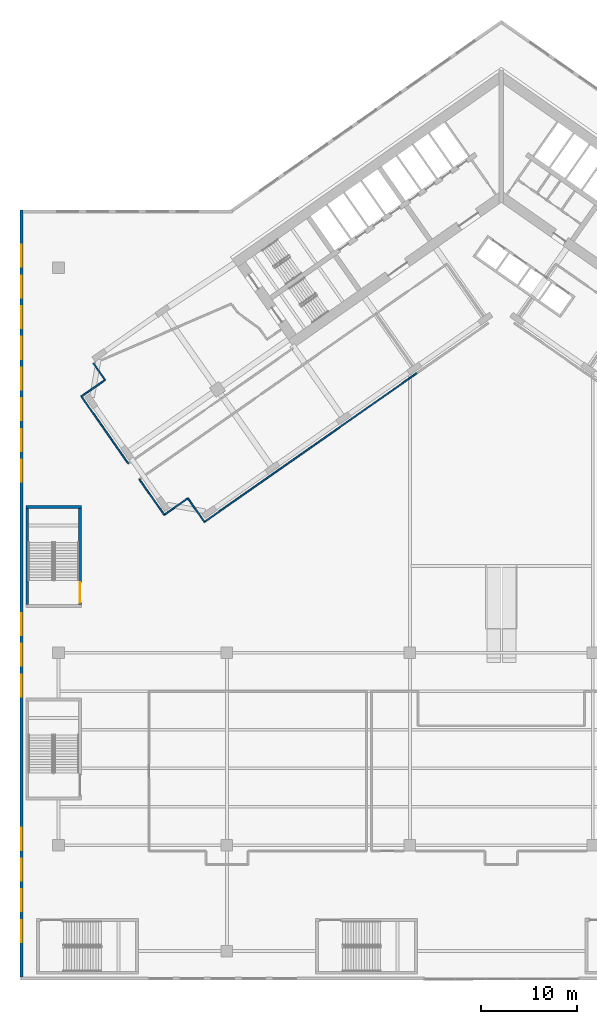
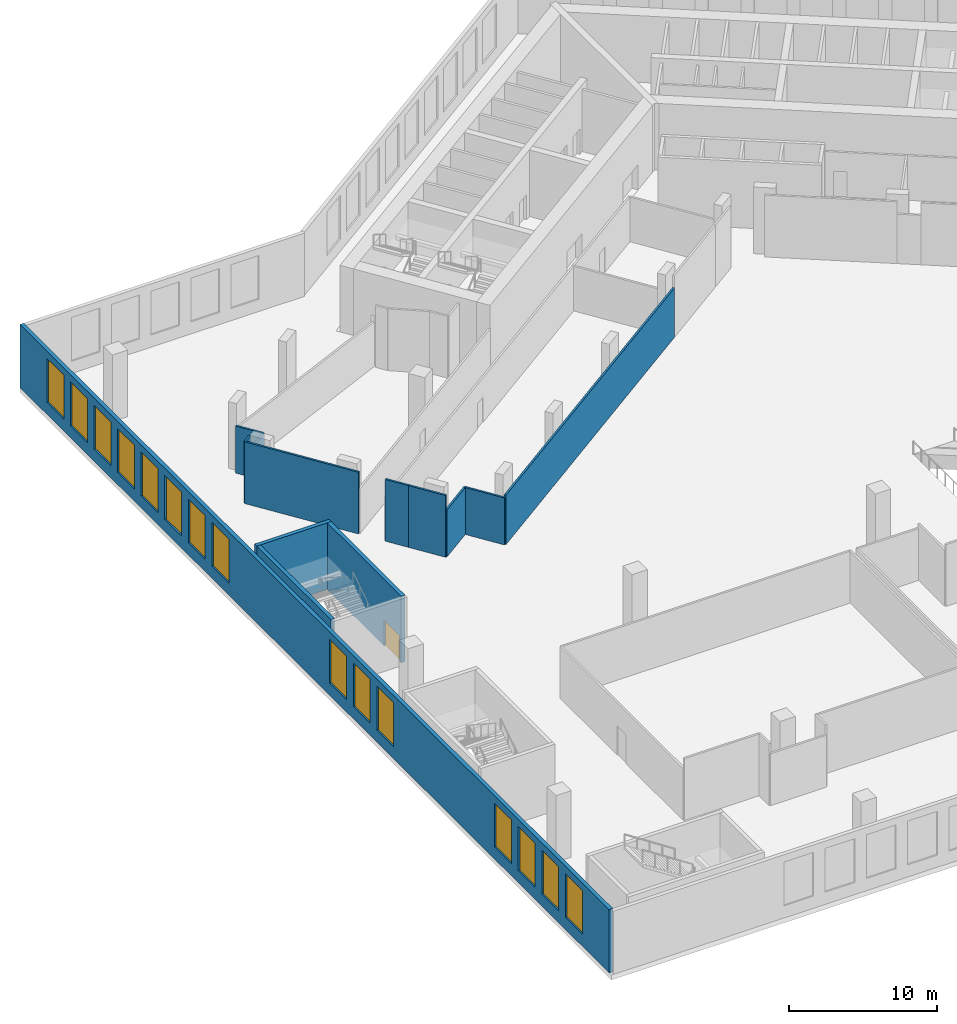
# One storey, part 6 of 26: 15 windows, 13 walls, 1 door, 16 openings.
"""IFC4 building model written with IfcOpenShell, lengths in metres."""

from ifc_helpers import new_model, si_unit, direction, frame, frame_2d, origin, place, context, subcontext, project, spatial, rectangle, extrude, material, layer, layer_set, type_object, element, fill, save


model = new_model("IFC4")

# Units and contexts
model_context = context("Model", 3, precision=1e-05, world=origin(), true_north=direction((0.0, 1.0)))
body_context = subcontext(model_context, "Body", "Model", "MODEL_VIEW")
ifc_project = project(units=[si_unit("LENGTHUNIT", "METRE"), si_unit("AREAUNIT", "SQUARE_METRE"), si_unit("VOLUMEUNIT", "CUBIC_METRE"), si_unit("PLANEANGLEUNIT", "RADIAN"), si_unit("MASSUNIT", "GRAM", prefix="KILO")], contexts=[model_context])

# Site, building, storey
site_placement = place(None, origin())
site = spatial("IfcSite", under=ifc_project, at=site_placement, CompositionType="ELEMENT")
building_placement = place(site_placement, origin())
building = spatial("IfcBuilding", under=site, at=building_placement, Name="Tel Ilan Convention Tower", CompositionType="ELEMENT")
storey_placement = place(building_placement, frame((0.0, 0.0, 37.5)))
storey = spatial("IfcBuildingStorey", under=building, at=storey_placement, Name="L05", CompositionType="ELEMENT", Elevation=37.5)

# Walls
ifc_material_1 = material(Name="Plasterboard on Steel Studs", Category="steel")
ifc_layer_1 = layer(ifc_material_1, 0.14990234375)
ifc_layer_set_1 = layer_set([ifc_layer_1], Name="Fire-rated Partition 150 EI 60")
wall_type_1 = type_object("IfcWallType", Name="Fire-rated Partition 150 EI 60", PredefinedType="PARTITIONING", material=ifc_layer_set_1)
wall_1_placement = place(storey_placement, frame((-35.016845703125, -33.676025390625, 0.0), z_axis=(0.0, 0.0, 1.0), x_axis=(0.81917072002, 0.573549763719, 0.0)))
element("IfcWall", 1, at=wall_1_placement, inside=storey, type_object=wall_type_1, Name="Partition 042", PredefinedType="PARTITIONING", context=body_context, shape_type="SweptSolid", body=[
    extrude(rectangle(XDim=2.998779296875, YDim=0.14990234375, at=frame_2d((1.49951171875, 0.0))), origin(), (0.0, 0.0, 1.0), 3.8798828125),
])
wall_2_placement = place(storey_placement, frame((-32.560302734375, -31.9560546875, 0.0), z_axis=(0.0, 0.0, 1.0), x_axis=(0.573604390867, -0.819132469615, 0.0)))
element("IfcWall", 2, at=wall_2_placement, inside=storey, type_object=wall_type_1, Name="Partition 043", PredefinedType="PARTITIONING", context=body_context, shape_type="SweptSolid", body=[
    extrude(rectangle(XDim=2.9990234375, YDim=0.14990234375, at=frame_2d((1.49951171875, 0.0))), origin(), (0.0, 0.0, 1.0), 3.8798828125),
])
wall_3_placement = place(storey_placement, frame((-30.838623046875, -34.412841796875, 0.0), z_axis=(0.0, 0.0, 1.0), x_axis=(0.819150779762, 0.573578242279, 0.0)))
element("IfcWall", 3, at=wall_3_placement, inside=storey, type_object=wall_type_1, Name="Partition 044", PredefinedType="PARTITIONING", context=body_context, shape_type="SweptSolid", body=[
    extrude(rectangle(XDim=27.001708984375, YDim=0.14990234375, at=frame_2d((13.5009765625, 0.0))), origin(), (0.0, 0.0, 1.0), 4.080078125),
])
wall_4_placement = place(storey_placement, frame((-36.59912109375, -31.41845703125, 0.0), z_axis=(0.0, 0.0, 1.0), x_axis=(0.57362881286, -0.819115367367, 0.0)))
element("IfcWall", 4, at=wall_4_placement, inside=storey, type_object=wall_type_1, Name="Partition 045", PredefinedType="PARTITIONING", context=body_context, shape_type="SweptSolid", body=[
    extrude(rectangle(XDim=2.755859375, YDim=0.14990234375, at=frame_2d((1.3779296875, 0.0))), origin(), (0.0, 0.0, 1.0), 5.10009765625),
])
wall_5_placement = place(storey_placement, frame((-42.359375, -17.96142578125, 0.0), z_axis=(0.0, 0.0, 1.0), x_axis=(0.573603984281, -0.819132754331, 0.0)))
element("IfcWall", 5, at=wall_5_placement, inside=storey, type_object=wall_type_1, Name="Partition 048", PredefinedType="PARTITIONING", context=body_context, shape_type="SweptSolid", body=[
    extrude(rectangle(XDim=2.082275390625, YDim=0.14990234375, at=frame_2d((1.041015625, 0.0))), origin(), (0.0, 0.0, 1.0), 3.8798828125),
])
wall_6_placement = place(storey_placement, frame((-41.1650390625, -19.6669921875, 0.0), z_axis=(0.0, 0.0, 1.0), x_axis=(-0.819149945048, -0.573579434366, 0.0)))
element("IfcWall", 6, at=wall_6_placement, inside=storey, type_object=wall_type_1, Name="Partition 049", PredefinedType="PARTITIONING", context=body_context, shape_type="SweptSolid", body=[
    extrude(rectangle(XDim=2.23876953125, YDim=0.14990234375, at=frame_2d((1.119384765625, 0.0))), origin(), (0.0, 0.0, 1.0), 3.8798828125),
])
wall_7_placement = place(storey_placement, frame((-43.621826171875, -21.38720703125, 0.0), z_axis=(0.0, 0.0, 1.0), x_axis=(0.573487395822, -0.819214383928, 0.0)))
element("IfcWall", 7, at=wall_7_placement, inside=storey, type_object=wall_type_1, Name="Partition 064", PredefinedType="PARTITIONING", context=body_context, shape_type="SweptSolid", body=[
    extrude(rectangle(XDim=8.502685546875, YDim=0.14990234375, at=frame_2d((4.25146484375, 0.0))), origin(), (0.0, 0.0, 1.0), 5.10009765625),
])
wall_8_placement = place(storey_placement, frame((-43.0, -20.951904296875, 0.0), z_axis=(0.0, 0.0, 1.0), x_axis=(-0.819216809636, -0.573483930734, 0.0)))
element("IfcWall", 8, at=wall_8_placement, inside=storey, type_object=wall_type_1, Name="Partition 065", PredefinedType="PARTITIONING", context=body_context, shape_type="SweptSolid", body=[
    extrude(rectangle(XDim=0.759033203125, YDim=0.14990234375, at=frame_2d((0.37939453125, 0.0))), origin(), (0.0, 0.0, 1.0), 5.10009765625),
])
wall_9_placement = place(storey_placement, frame((-37.600341796875, -29.98828125, 0.0), z_axis=(0.0, 0.0, 1.0), x_axis=(0.573518712821, -0.819192459709, 0.0)))
element("IfcWall", 9, at=wall_9_placement, inside=storey, type_object=wall_type_1, Name="Partition 066", PredefinedType="PARTITIONING", context=body_context, shape_type="SweptSolid", body=[
    extrude(rectangle(XDim=1.744140625, YDim=0.14990234375, at=frame_2d((0.8720703125, 0.0))), origin(), (0.0, 0.0, 1.0), 5.10009765625),
])

# Wall, openings, windows
ifc_material_2 = material(Name="Bronze aluminium cladding panel on insulated steel frame", Category="steel")
ifc_layer_2 = layer(ifc_material_2, 0.300048828125)
ifc_layer_set_2 = layer_set([ifc_layer_2], Name="PODIUM CLADDING WALL 300")
wall_type_2 = type_object("IfcWallType", Name="PODIUM CLADDING WALL 300", PredefinedType="SOLIDWALL", material=ifc_layer_set_2)
wall_10_placement = place(storey_placement, frame((-49.85009765625, -81.699951171875, 0.0), z_axis=(0.0, 0.0, 1.0), x_axis=(0.0, 1.0, 0.0)))
wall_10 = element("IfcWall", 10, at=wall_10_placement, inside=storey, type_object=wall_type_2, Name="Podium cladding wall", PredefinedType="SOLIDWALL", context=body_context, shape_type="SweptSolid", body=[
    extrude(rectangle(XDim=79.699951171875, YDim=0.300048828125, at=frame_2d((39.85009765625, 0.0))), origin(), (0.0, 0.0, 1.0), 5.219970703125),
])
opening_1_placement = place(wall_10_placement, frame((3.637939453125, 0.0, 1.0)))
opening_1 = element("IfcOpeningElement", 11, at=opening_1_placement, cuts=wall_10, Name="Opening W-08.011", PredefinedType="OPENING", context=body_context, shape_type="SweptSolid", body=[
    extrude(rectangle(XDim=2.2880859375, YDim=3.6201171875, at=frame_2d((1.14404296875, 1.81005859375))), frame((0.0, 0.159912109375, 0.0), z_axis=(0.0, -1.0, 0.0), x_axis=(1.0, 0.0, 0.0)), (0.0, 0.0, 1.0), 0.320068359375),
])
opening_2_placement = place(wall_10_placement, frame((6.825927734375, 0.0, 1.0)))
opening_2 = element("IfcOpeningElement", 12, at=opening_2_placement, cuts=wall_10, Name="Opening W-08.012", PredefinedType="OPENING", context=body_context, shape_type="SweptSolid", body=[
    extrude(rectangle(XDim=2.2880859375, YDim=3.6201171875, at=frame_2d((1.14404296875, 1.81005859375))), frame((0.0, 0.159912109375, 0.0), z_axis=(0.0, -1.0, 0.0), x_axis=(1.0, 0.0, 0.0)), (0.0, 0.0, 1.0), 0.320068359375),
])
opening_3_placement = place(wall_10_placement, frame((10.013916015625, 0.0, 1.0)))
opening_3 = element("IfcOpeningElement", 13, at=opening_3_placement, cuts=wall_10, Name="Opening W-08.013", PredefinedType="OPENING", context=body_context, shape_type="SweptSolid", body=[
    extrude(rectangle(XDim=2.2880859375, YDim=3.6201171875, at=frame_2d((1.14404296875, 1.81005859375))), frame((0.0, 0.159912109375, 0.0), z_axis=(0.0, -1.0, 0.0), x_axis=(1.0, 0.0, 0.0)), (0.0, 0.0, 1.0), 0.320068359375),
])
opening_4_placement = place(wall_10_placement, frame((13.201904296875, 0.0, 1.0)))
opening_4 = element("IfcOpeningElement", 14, at=opening_4_placement, cuts=wall_10, Name="Opening W-08.014", PredefinedType="OPENING", context=body_context, shape_type="SweptSolid", body=[
    extrude(rectangle(XDim=2.2880859375, YDim=3.6201171875, at=frame_2d((1.14404296875, 1.81005859375))), frame((0.0, 0.159912109375, 0.0), z_axis=(0.0, -1.0, 0.0), x_axis=(1.0, 0.0, 0.0)), (0.0, 0.0, 1.0), 0.320068359375),
])
opening_5_placement = place(wall_10_placement, frame((29.14208984375, 0.0, 1.0)))
opening_5 = element("IfcOpeningElement", 15, at=opening_5_placement, cuts=wall_10, Name="Opening W-08.015", PredefinedType="OPENING", context=body_context, shape_type="SweptSolid", body=[
    extrude(rectangle(XDim=2.2880859375, YDim=3.6201171875, at=frame_2d((1.14404296875, 1.81005859375))), frame((0.0, 0.159912109375, 0.0), z_axis=(0.0, -1.0, 0.0), x_axis=(1.0, 0.0, 0.0)), (0.0, 0.0, 1.0), 0.320068359375),
])
opening_6_placement = place(wall_10_placement, frame((32.330078125, 0.0, 1.0)))
opening_6 = element("IfcOpeningElement", 16, at=opening_6_placement, cuts=wall_10, Name="Opening W-08.016", PredefinedType="OPENING", context=body_context, shape_type="SweptSolid", body=[
    extrude(rectangle(XDim=2.2880859375, YDim=3.6201171875, at=frame_2d((1.14404296875, 1.81005859375))), frame((0.0, 0.159912109375, 0.0), z_axis=(0.0, -1.0, 0.0), x_axis=(1.0, 0.0, 0.0)), (0.0, 0.0, 1.0), 0.320068359375),
])
opening_7_placement = place(wall_10_placement, frame((35.51806640625, 0.0, 1.0)))
opening_7 = element("IfcOpeningElement", 17, at=opening_7_placement, cuts=wall_10, Name="Opening W-08.017", PredefinedType="OPENING", context=body_context, shape_type="SweptSolid", body=[
    extrude(rectangle(XDim=2.2880859375, YDim=3.6201171875, at=frame_2d((1.14404296875, 1.81005859375))), frame((0.0, 0.159912109375, 0.0), z_axis=(0.0, -1.0, 0.0), x_axis=(1.0, 0.0, 0.0)), (0.0, 0.0, 1.0), 0.320068359375),
])
opening_8_placement = place(wall_10_placement, frame((51.4580078125, 0.0, 1.0)))
opening_8 = element("IfcOpeningElement", 18, at=opening_8_placement, cuts=wall_10, Name="Opening W-08.018", PredefinedType="OPENING", context=body_context, shape_type="SweptSolid", body=[
    extrude(rectangle(XDim=2.2880859375, YDim=3.6201171875, at=frame_2d((1.14404296875, 1.81005859375))), frame((0.0, 0.159912109375, 0.0), z_axis=(0.0, -1.0, 0.0), x_axis=(1.0, 0.0, 0.0)), (0.0, 0.0, 1.0), 0.320068359375),
])
opening_9_placement = place(wall_10_placement, frame((54.64599609375, 0.0, 1.0)))
opening_9 = element("IfcOpeningElement", 19, at=opening_9_placement, cuts=wall_10, Name="Opening W-08.019", PredefinedType="OPENING", context=body_context, shape_type="SweptSolid", body=[
    extrude(rectangle(XDim=2.2880859375, YDim=3.6201171875, at=frame_2d((1.14404296875, 1.81005859375))), frame((0.0, 0.159912109375, 0.0), z_axis=(0.0, -1.0, 0.0), x_axis=(1.0, 0.0, 0.0)), (0.0, 0.0, 1.0), 0.320068359375),
])
opening_10_placement = place(wall_10_placement, frame((57.833984375, 0.0, 1.0)))
opening_10 = element("IfcOpeningElement", 20, at=opening_10_placement, cuts=wall_10, Name="Opening W-08.020", PredefinedType="OPENING", context=body_context, shape_type="SweptSolid", body=[
    extrude(rectangle(XDim=2.2880859375, YDim=3.6201171875, at=frame_2d((1.14404296875, 1.81005859375))), frame((0.0, 0.159912109375, 0.0), z_axis=(0.0, -1.0, 0.0), x_axis=(1.0, 0.0, 0.0)), (0.0, 0.0, 1.0), 0.320068359375),
])
opening_11_placement = place(wall_10_placement, frame((61.02197265625, 0.0, 1.0)))
opening_11 = element("IfcOpeningElement", 21, at=opening_11_placement, cuts=wall_10, Name="Opening W-08.021", PredefinedType="OPENING", context=body_context, shape_type="SweptSolid", body=[
    extrude(rectangle(XDim=2.2880859375, YDim=3.6201171875, at=frame_2d((1.14404296875, 1.81005859375))), frame((0.0, 0.159912109375, 0.0), z_axis=(0.0, -1.0, 0.0), x_axis=(1.0, 0.0, 0.0)), (0.0, 0.0, 1.0), 0.320068359375),
])
opening_12_placement = place(wall_10_placement, frame((64.2099609375, 0.0, 1.0)))
opening_12 = element("IfcOpeningElement", 22, at=opening_12_placement, cuts=wall_10, Name="Opening W-08.022", PredefinedType="OPENING", context=body_context, shape_type="SweptSolid", body=[
    extrude(rectangle(XDim=2.2880859375, YDim=3.6201171875, at=frame_2d((1.14404296875, 1.81005859375))), frame((0.0, 0.159912109375, 0.0), z_axis=(0.0, -1.0, 0.0), x_axis=(1.0, 0.0, 0.0)), (0.0, 0.0, 1.0), 0.320068359375),
])
opening_13_placement = place(wall_10_placement, frame((67.39794921875, 0.0, 1.0)))
opening_13 = element("IfcOpeningElement", 23, at=opening_13_placement, cuts=wall_10, Name="Opening W-08.023", PredefinedType="OPENING", context=body_context, shape_type="SweptSolid", body=[
    extrude(rectangle(XDim=2.2880859375, YDim=3.6201171875, at=frame_2d((1.14404296875, 1.81005859375))), frame((0.0, 0.159912109375, 0.0), z_axis=(0.0, -1.0, 0.0), x_axis=(1.0, 0.0, 0.0)), (0.0, 0.0, 1.0), 0.320068359375),
])
opening_14_placement = place(wall_10_placement, frame((70.5859375, 0.0, 1.0)))
opening_14 = element("IfcOpeningElement", 24, at=opening_14_placement, cuts=wall_10, Name="Opening W-08.024", PredefinedType="OPENING", context=body_context, shape_type="SweptSolid", body=[
    extrude(rectangle(XDim=2.2880859375, YDim=3.6201171875, at=frame_2d((1.14404296875, 1.81005859375))), frame((0.0, 0.159912109375, 0.0), z_axis=(0.0, -1.0, 0.0), x_axis=(1.0, 0.0, 0.0)), (0.0, 0.0, 1.0), 0.320068359375),
])
opening_15_placement = place(wall_10_placement, frame((73.77392578125, 0.0, 1.0)))
opening_15 = element("IfcOpeningElement", 25, at=opening_15_placement, cuts=wall_10, Name="Opening W-08.025", PredefinedType="OPENING", context=body_context, shape_type="SweptSolid", body=[
    extrude(rectangle(XDim=2.2880859375, YDim=3.6201171875, at=frame_2d((1.14404296875, 1.81005859375))), frame((0.0, 0.159912109375, 0.0), z_axis=(0.0, -1.0, 0.0), x_axis=(1.0, 0.0, 0.0)), (0.0, 0.0, 1.0), 0.320068359375),
])
ifc_material_3 = material(Name="Aluminium framed glazing, bronze anodised, tinted glass", Category="aluminium")
window_type = type_object("IfcWindowType", Name="PODIUM WINDOW 2288x3620", PartitioningType="SINGLE_PANEL", PredefinedType="WINDOW", material=ifc_material_3)
window_1_placement = place(opening_1_placement, origin())
window_1 = element("IfcWindow", 26, at=window_1_placement, inside=storey, type_object=window_type, Name="Podium window", OverallHeight=3.6201171875, OverallWidth=2.2880859375, PartitioningType="SINGLE_PANEL", PredefinedType="WINDOW", context=body_context, shape_type="SweptSolid", body=[
    extrude(rectangle(XDim=2.2880859375, YDim=3.6201171875, at=frame_2d((1.14404296875, 1.81005859375))), frame((0.0, 0.030029296875, 0.0), z_axis=(0.0, -1.0, 0.0), x_axis=(1.0, 0.0, 0.0)), (0.0, 0.0, 1.0), 0.06005859375),
])
fill(opening_1, window_1)
window_2_placement = place(opening_2_placement, origin())
window_2 = element("IfcWindow", 27, at=window_2_placement, inside=storey, type_object=window_type, Name="Podium window", OverallHeight=3.6201171875, OverallWidth=2.2880859375, PartitioningType="SINGLE_PANEL", PredefinedType="WINDOW", context=body_context, shape_type="SweptSolid", body=[
    extrude(rectangle(XDim=2.2880859375, YDim=3.6201171875, at=frame_2d((1.14404296875, 1.81005859375))), frame((0.0, 0.030029296875, 0.0), z_axis=(0.0, -1.0, 0.0), x_axis=(1.0, 0.0, 0.0)), (0.0, 0.0, 1.0), 0.06005859375),
])
fill(opening_2, window_2)
window_3_placement = place(opening_3_placement, origin())
window_3 = element("IfcWindow", 28, at=window_3_placement, inside=storey, type_object=window_type, Name="Podium window", OverallHeight=3.6201171875, OverallWidth=2.2880859375, PartitioningType="SINGLE_PANEL", PredefinedType="WINDOW", context=body_context, shape_type="SweptSolid", body=[
    extrude(rectangle(XDim=2.2880859375, YDim=3.6201171875, at=frame_2d((1.14404296875, 1.81005859375))), frame((0.0, 0.030029296875, 0.0), z_axis=(0.0, -1.0, 0.0), x_axis=(1.0, 0.0, 0.0)), (0.0, 0.0, 1.0), 0.06005859375),
])
fill(opening_3, window_3)
window_4_placement = place(opening_4_placement, origin())
window_4 = element("IfcWindow", 29, at=window_4_placement, inside=storey, type_object=window_type, Name="Podium window", OverallHeight=3.6201171875, OverallWidth=2.2880859375, PartitioningType="SINGLE_PANEL", PredefinedType="WINDOW", context=body_context, shape_type="SweptSolid", body=[
    extrude(rectangle(XDim=2.2880859375, YDim=3.6201171875, at=frame_2d((1.14404296875, 1.81005859375))), frame((0.0, 0.030029296875, 0.0), z_axis=(0.0, -1.0, 0.0), x_axis=(1.0, 0.0, 0.0)), (0.0, 0.0, 1.0), 0.06005859375),
])
fill(opening_4, window_4)
window_5_placement = place(opening_5_placement, origin())
window_5 = element("IfcWindow", 30, at=window_5_placement, inside=storey, type_object=window_type, Name="Podium window", OverallHeight=3.6201171875, OverallWidth=2.2880859375, PartitioningType="SINGLE_PANEL", PredefinedType="WINDOW", context=body_context, shape_type="SweptSolid", body=[
    extrude(rectangle(XDim=2.2880859375, YDim=3.6201171875, at=frame_2d((1.14404296875, 1.81005859375))), frame((0.0, 0.030029296875, 0.0), z_axis=(0.0, -1.0, 0.0), x_axis=(1.0, 0.0, 0.0)), (0.0, 0.0, 1.0), 0.06005859375),
])
fill(opening_5, window_5)
window_6_placement = place(opening_6_placement, origin())
window_6 = element("IfcWindow", 31, at=window_6_placement, inside=storey, type_object=window_type, Name="Podium window", OverallHeight=3.6201171875, OverallWidth=2.2880859375, PartitioningType="SINGLE_PANEL", PredefinedType="WINDOW", context=body_context, shape_type="SweptSolid", body=[
    extrude(rectangle(XDim=2.2880859375, YDim=3.6201171875, at=frame_2d((1.14404296875, 1.81005859375))), frame((0.0, 0.030029296875, 0.0), z_axis=(0.0, -1.0, 0.0), x_axis=(1.0, 0.0, 0.0)), (0.0, 0.0, 1.0), 0.06005859375),
])
fill(opening_6, window_6)
window_7_placement = place(opening_7_placement, origin())
window_7 = element("IfcWindow", 32, at=window_7_placement, inside=storey, type_object=window_type, Name="Podium window", OverallHeight=3.6201171875, OverallWidth=2.2880859375, PartitioningType="SINGLE_PANEL", PredefinedType="WINDOW", context=body_context, shape_type="SweptSolid", body=[
    extrude(rectangle(XDim=2.2880859375, YDim=3.6201171875, at=frame_2d((1.14404296875, 1.81005859375))), frame((0.0, 0.030029296875, 0.0), z_axis=(0.0, -1.0, 0.0), x_axis=(1.0, 0.0, 0.0)), (0.0, 0.0, 1.0), 0.06005859375),
])
fill(opening_7, window_7)
window_8_placement = place(opening_8_placement, origin())
window_8 = element("IfcWindow", 33, at=window_8_placement, inside=storey, type_object=window_type, Name="Podium window", OverallHeight=3.6201171875, OverallWidth=2.2880859375, PartitioningType="SINGLE_PANEL", PredefinedType="WINDOW", context=body_context, shape_type="SweptSolid", body=[
    extrude(rectangle(XDim=2.2880859375, YDim=3.6201171875, at=frame_2d((1.14404296875, 1.81005859375))), frame((0.0, 0.030029296875, 0.0), z_axis=(0.0, -1.0, 0.0), x_axis=(1.0, 0.0, 0.0)), (0.0, 0.0, 1.0), 0.06005859375),
])
fill(opening_8, window_8)
window_9_placement = place(opening_9_placement, origin())
window_9 = element("IfcWindow", 34, at=window_9_placement, inside=storey, type_object=window_type, Name="Podium window", OverallHeight=3.6201171875, OverallWidth=2.2880859375, PartitioningType="SINGLE_PANEL", PredefinedType="WINDOW", context=body_context, shape_type="SweptSolid", body=[
    extrude(rectangle(XDim=2.2880859375, YDim=3.6201171875, at=frame_2d((1.14404296875, 1.81005859375))), frame((0.0, 0.030029296875, 0.0), z_axis=(0.0, -1.0, 0.0), x_axis=(1.0, 0.0, 0.0)), (0.0, 0.0, 1.0), 0.06005859375),
])
fill(opening_9, window_9)
window_10_placement = place(opening_10_placement, origin())
window_10 = element("IfcWindow", 35, at=window_10_placement, inside=storey, type_object=window_type, Name="Podium window", OverallHeight=3.6201171875, OverallWidth=2.2880859375, PartitioningType="SINGLE_PANEL", PredefinedType="WINDOW", context=body_context, shape_type="SweptSolid", body=[
    extrude(rectangle(XDim=2.2880859375, YDim=3.6201171875, at=frame_2d((1.14404296875, 1.81005859375))), frame((0.0, 0.030029296875, 0.0), z_axis=(0.0, -1.0, 0.0), x_axis=(1.0, 0.0, 0.0)), (0.0, 0.0, 1.0), 0.06005859375),
])
fill(opening_10, window_10)
window_11_placement = place(opening_11_placement, origin())
window_11 = element("IfcWindow", 36, at=window_11_placement, inside=storey, type_object=window_type, Name="Podium window", OverallHeight=3.6201171875, OverallWidth=2.2880859375, PartitioningType="SINGLE_PANEL", PredefinedType="WINDOW", context=body_context, shape_type="SweptSolid", body=[
    extrude(rectangle(XDim=2.2880859375, YDim=3.6201171875, at=frame_2d((1.14404296875, 1.81005859375))), frame((0.0, 0.030029296875, 0.0), z_axis=(0.0, -1.0, 0.0), x_axis=(1.0, 0.0, 0.0)), (0.0, 0.0, 1.0), 0.06005859375),
])
fill(opening_11, window_11)
window_12_placement = place(opening_12_placement, origin())
window_12 = element("IfcWindow", 37, at=window_12_placement, inside=storey, type_object=window_type, Name="Podium window", OverallHeight=3.6201171875, OverallWidth=2.2880859375, PartitioningType="SINGLE_PANEL", PredefinedType="WINDOW", context=body_context, shape_type="SweptSolid", body=[
    extrude(rectangle(XDim=2.2880859375, YDim=3.6201171875, at=frame_2d((1.14404296875, 1.81005859375))), frame((0.0, 0.030029296875, 0.0), z_axis=(0.0, -1.0, 0.0), x_axis=(1.0, 0.0, 0.0)), (0.0, 0.0, 1.0), 0.06005859375),
])
fill(opening_12, window_12)
window_13_placement = place(opening_13_placement, origin())
window_13 = element("IfcWindow", 38, at=window_13_placement, inside=storey, type_object=window_type, Name="Podium window", OverallHeight=3.6201171875, OverallWidth=2.2880859375, PartitioningType="SINGLE_PANEL", PredefinedType="WINDOW", context=body_context, shape_type="SweptSolid", body=[
    extrude(rectangle(XDim=2.2880859375, YDim=3.6201171875, at=frame_2d((1.14404296875, 1.81005859375))), frame((0.0, 0.030029296875, 0.0), z_axis=(0.0, -1.0, 0.0), x_axis=(1.0, 0.0, 0.0)), (0.0, 0.0, 1.0), 0.06005859375),
])
fill(opening_13, window_13)
window_14_placement = place(opening_14_placement, origin())
window_14 = element("IfcWindow", 39, at=window_14_placement, inside=storey, type_object=window_type, Name="Podium window", OverallHeight=3.6201171875, OverallWidth=2.2880859375, PartitioningType="SINGLE_PANEL", PredefinedType="WINDOW", context=body_context, shape_type="SweptSolid", body=[
    extrude(rectangle(XDim=2.2880859375, YDim=3.6201171875, at=frame_2d((1.14404296875, 1.81005859375))), frame((0.0, 0.030029296875, 0.0), z_axis=(0.0, -1.0, 0.0), x_axis=(1.0, 0.0, 0.0)), (0.0, 0.0, 1.0), 0.06005859375),
])
fill(opening_14, window_14)
window_15_placement = place(opening_15_placement, origin())
window_15 = element("IfcWindow", 40, at=window_15_placement, inside=storey, type_object=window_type, Name="Podium window", OverallHeight=3.6201171875, OverallWidth=2.2880859375, PartitioningType="SINGLE_PANEL", PredefinedType="WINDOW", context=body_context, shape_type="SweptSolid", body=[
    extrude(rectangle(XDim=2.2880859375, YDim=3.6201171875, at=frame_2d((1.14404296875, 1.81005859375))), frame((0.0, 0.030029296875, 0.0), z_axis=(0.0, -1.0, 0.0), x_axis=(1.0, 0.0, 0.0)), (0.0, 0.0, 1.0), 0.06005859375),
])
fill(opening_15, window_15)

# Walls
ifc_material_4 = material(Name="Concrete C40/50", Category="concrete")
ifc_layer_3 = layer(ifc_material_4, 0.300048828125)
ifc_layer_set_3 = layer_set([ifc_layer_3], Name="Stair Enclosure Wall 300 mm C40/50")
wall_type_3 = type_object("IfcWallType", Name="Stair Enclosure Wall 300 mm C40/50", PredefinedType="SOLIDWALL", material=ifc_layer_set_3)
wall_11_placement = place(storey_placement, frame((-49.39990234375, -32.85009765625, 0.0), z_axis=(0.0, 0.0, 1.0), x_axis=(1.0, 0.0, 0.0)))
element("IfcWall", 41, at=wall_11_placement, inside=storey, type_object=wall_type_3, Name="P7 stair enclosure wall N L05", PredefinedType="SOLIDWALL", context=body_context, shape_type="SweptSolid", body=[
    extrude(rectangle(XDim=5.7998046875, YDim=0.300048828125, at=frame_2d((2.89990234375, 0.0))), origin(), (0.0, 0.0, 1.0), 5.5),
])
wall_12_placement = place(storey_placement, frame((-49.25, -43.0, 0.0), z_axis=(0.0, 0.0, 1.0), x_axis=(0.0, 1.0, 0.0)))
element("IfcWall", 42, at=wall_12_placement, inside=storey, type_object=wall_type_3, Name="P7 stair enclosure wall W L05", PredefinedType="SOLIDWALL", context=body_context, shape_type="SweptSolid", body=[
    extrude(rectangle(XDim=10.0, YDim=0.300048828125, at=frame_2d((5.0, 0.0))), origin(), (0.0, 0.0, 1.0), 5.5),
])

# Wall, opening, door
wall_13_placement = place(storey_placement, frame((-43.75, -43.0, 0.0), z_axis=(0.0, 0.0, 1.0), x_axis=(0.0, 1.0, 0.0)))
wall_13 = element("IfcWall", 43, at=wall_13_placement, inside=storey, type_object=wall_type_3, Name="P7 stair enclosure wall E L05", PredefinedType="SOLIDWALL", context=body_context, shape_type="SweptSolid", body=[
    extrude(rectangle(XDim=10.0, YDim=0.300048828125, at=frame_2d((5.0, 0.0))), origin(), (0.0, 0.0, 1.0), 5.5),
])
opening_16_placement = place(wall_13_placement, frame((0.21240234375, 0.0, 0.0)))
opening_16 = element("IfcOpeningElement", 44, at=opening_16_placement, cuts=wall_13, Name="Opening PD708", PredefinedType="OPENING", context=body_context, shape_type="SweptSolid", body=[
    extrude(rectangle(XDim=2.10009765625, YDim=2.10009765625, at=frame_2d((1.050048828125, 1.050048828125))), frame((0.0, 0.159912109375, 0.0), z_axis=(0.0, -1.0, 0.0), x_axis=(1.0, 0.0, 0.0)), (0.0, 0.0, 1.0), 0.320068359375),
])
ifc_material_5 = material(Name="Galvanised Steel Door Leaf", Category="steel")
door_type = type_object("IfcDoorType", Name="Stair Fire Door 2100 x 2100 FD60S", OperationType="NOTDEFINED", PredefinedType="DOOR", material=ifc_material_5)
door_placement = place(opening_16_placement, origin())
door = element("IfcDoor", 45, at=door_placement, inside=storey, type_object=door_type, Name="Stair P7 floor door", OperationType="DOUBLE_DOOR_SINGLE_SWING", OverallHeight=2.10009765625, OverallWidth=2.10009765625, PredefinedType="DOOR", context=body_context, shape_type="SweptSolid", body=[
    extrude(rectangle(XDim=2.10009765625, YDim=2.10009765625, at=frame_2d((1.050048828125, 1.050048828125))), frame((0.0, 0.02490234375, 0.0), z_axis=(0.0, -1.0, 0.0), x_axis=(1.0, 0.0, 0.0)), (0.0, 0.0, 1.0), 0.050048828125),
])
fill(opening_16, door)

save(model, "model.ifc")
